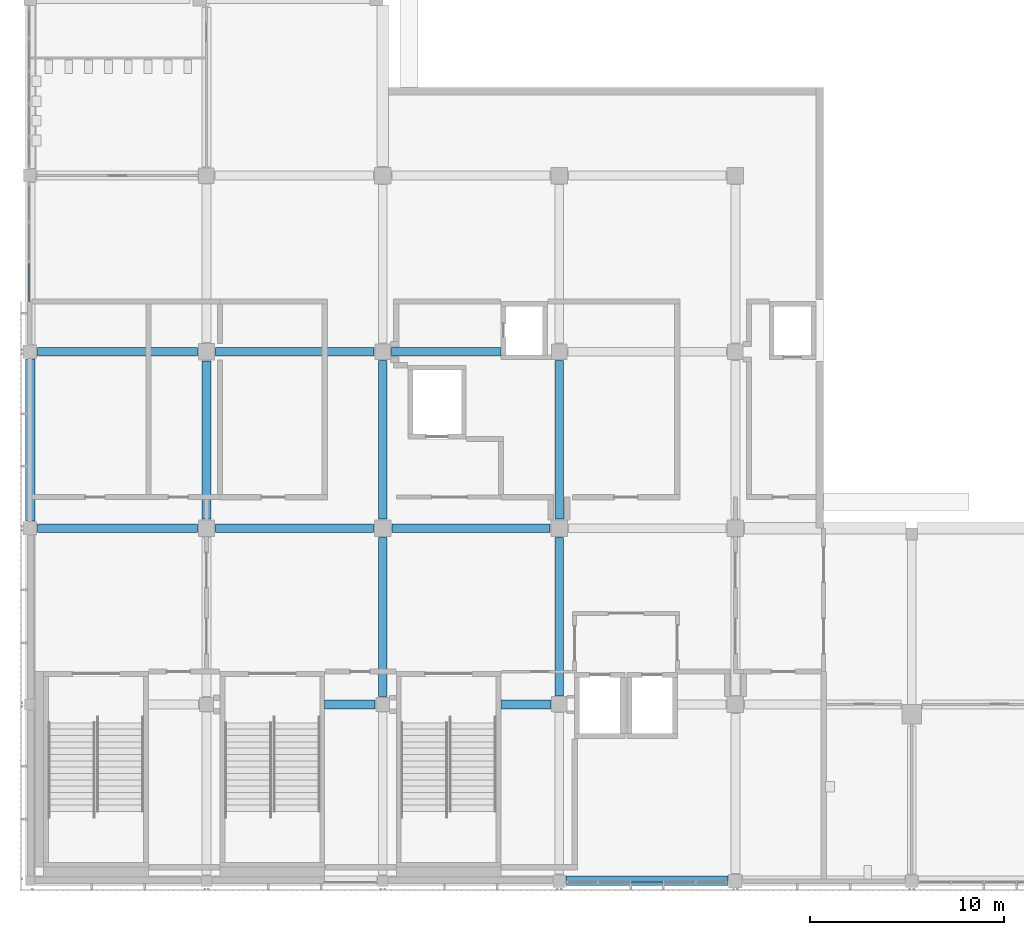
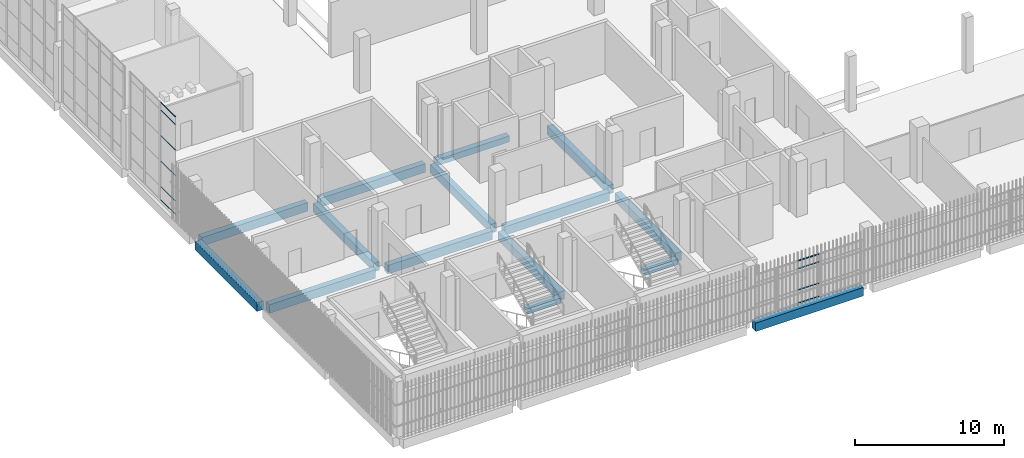
# One storey, part 5 of 126: 15 beams, 10 members, 2 elements without a shape of their own.
"""IFC4 building model written with IfcOpenShell, lengths in metres."""

from ifc_helpers import new_model, si_unit, direction, frame, origin, origin_2d, place, context, subcontext, project, spatial, rectangle, hollow_rectangle, extrude, material, layer, layer_set, material_profile, profile_set, type_object, element, aggregate, save


model = new_model("IFC4")

# Units and contexts
model_context = context("Model", 3, precision=1e-05, world=origin(), true_north=direction((0.0, 1.0)))
body_context = subcontext(model_context, "Body", "Model", "MODEL_VIEW")
ifc_project = project(units=[si_unit("LENGTHUNIT", "METRE"), si_unit("AREAUNIT", "SQUARE_METRE"), si_unit("VOLUMEUNIT", "CUBIC_METRE"), si_unit("PLANEANGLEUNIT", "RADIAN"), si_unit("MASSUNIT", "GRAM", prefix="KILO")], contexts=[model_context])

# Site, building, storey
site_placement = place(None, origin())
site = spatial("IfcSite", under=ifc_project, at=site_placement, CompositionType="ELEMENT")
building_placement = place(site_placement, origin())
building = spatial("IfcBuilding", under=site, at=building_placement, Name="Shirokan Park Arena", CompositionType="ELEMENT")
storey_placement = place(building_placement, frame((0.0, 0.0, 6.3701171875)))
storey = spatial("IfcBuildingStorey", under=building, at=storey_placement, Name="L01", CompositionType="ELEMENT", Elevation=6.3701171875)

# Beams
ifc_material_1 = material(Name="Concrete C35", Category="concrete")
ifc_material_profile_1 = material_profile(ifc_material_1, rectangle(XDim=0.449951171875, YDim=0.5, at=origin_2d()), Name="450x500")
ifc_profile_set_1 = profile_set([ifc_material_profile_1], Name="Concrete C35")
beam_type_1 = type_object("IfcBeamType", Name="RC girder 450x500", PredefinedType="BEAM", material=ifc_profile_set_1)
beam_1_placement = place(storey_placement, frame((18.650146484375, 27.300048828125, -0.60009765625), z_axis=(1.0, 0.0, 0.0), x_axis=(0.0, 1.0, 0.0)))
element("IfcBeam", 1, at=beam_1_placement, inside=storey, type_object=beam_type_1, Name="Girder 3D-4D L01", PredefinedType="BEAM", context=body_context, shape_type="SweptSolid", body=[
    extrude(rectangle(XDim=0.449951171875, YDim=0.5, at=origin_2d()), origin(), (0.0, 0.0, 1.0), 5.64990234375),
])
ifc_material_profile_2 = material_profile(ifc_material_1, rectangle(XDim=0.449951171875, YDim=0.699951171875, at=origin_2d()), Name="450x700")
ifc_profile_set_2 = profile_set([ifc_material_profile_2], Name="Concrete C35")
beam_type_2 = type_object("IfcBeamType", Name="RC girder 450x700", PredefinedType="BEAM", material=ifc_profile_set_2)
for number, where, z_axis, x_axis, name in (
    (2, (0.375, 18.199951171875, -0.7001953125), (1.0, 0.0, 0.0), (0.0, 1.0, 0.0), "Girder 1C-2C L01"),
    (3, (0.375, 27.300048828125, -0.7001953125), (1.0, 0.0, 0.0), (0.0, 1.0, 0.0), "Girder 1D-2D L01"),
):
    element("IfcBeam", number, at=place(storey_placement, frame(where, z_axis=z_axis, x_axis=x_axis)), inside=storey, type_object=beam_type_2, Name=name, PredefinedType="BEAM", context=body_context, shape_type="SweptSolid", body=[
        extrude(rectangle(XDim=0.449951171875, YDim=0.699951171875, at=origin_2d()), origin(), (0.0, 0.0, 1.0), 8.25),
    ])
beam_2_placement = place(storey_placement, frame((9.5751953125, 18.199951171875, -0.7001953125), z_axis=(1.0, 0.0, 0.0), x_axis=(0.0, 1.0, 0.0)))
element("IfcBeam", 4, at=beam_2_placement, inside=storey, type_object=beam_type_2, Name="Girder 2C-3C L01", PredefinedType="BEAM", context=body_context, shape_type="SweptSolid", body=[
    extrude(rectangle(XDim=0.449951171875, YDim=0.699951171875, at=origin_2d()), origin(), (0.0, 0.0, 1.0), 8.149658203125),
])
beam_3_placement = place(storey_placement, frame((9.5751953125, 27.300048828125, -0.7001953125), z_axis=(1.0, 0.0, 0.0), x_axis=(0.0, 1.0, 0.0)))
element("IfcBeam", 5, at=beam_3_placement, inside=storey, type_object=beam_type_2, Name="Girder 2D-3D L01", PredefinedType="BEAM", context=body_context, shape_type="SweptSolid", body=[
    extrude(rectangle(XDim=0.449951171875, YDim=0.699951171875, at=origin_2d()), origin(), (0.0, 0.0, 1.0), 8.1748046875),
])
for number, where, z_axis, x_axis, name in (
    (6, (18.675048828125, 18.199951171875, -0.7001953125), (1.0, 0.0, 0.0), (0.0, 1.0, 0.0), "Girder 3C-4C L01"),
    (7, (9.10009765625, 18.675048828125, -0.7001953125), (0.0, 1.0, 0.0), (-1.0, 0.0, 0.0), "Girder 2C-2D L01"),
):
    element("IfcBeam", number, at=place(storey_placement, frame(where, z_axis=z_axis, x_axis=x_axis)), inside=storey, type_object=beam_type_2, Name=name, PredefinedType="BEAM", context=body_context, shape_type="SweptSolid", body=[
        extrude(rectangle(XDim=0.449951171875, YDim=0.699951171875, at=origin_2d()), origin(), (0.0, 0.0, 1.0), 8.14990234375),
    ])
beam_4_placement = place(storey_placement, frame((18.199951171875, 9.5, -0.7001953125), z_axis=(0.0, 1.0, 0.0), x_axis=(-1.0, 0.0, 0.0)))
element("IfcBeam", 8, at=beam_4_placement, inside=storey, type_object=beam_type_2, Name="Girder 3B-3C L01", PredefinedType="BEAM", context=body_context, shape_type="SweptSolid", body=[
    extrude(rectangle(XDim=0.449951171875, YDim=0.699951171875, at=origin_2d()), origin(), (0.0, 0.0, 1.0), 8.224853515625),
])
beam_5_placement = place(storey_placement, frame((18.199951171875, 18.675048828125, -0.7001953125), z_axis=(0.0, 1.0, 0.0), x_axis=(-1.0, 0.0, 0.0)))
element("IfcBeam", 9, at=beam_5_placement, inside=storey, type_object=beam_type_2, Name="Girder 3C-3D L01", PredefinedType="BEAM", context=body_context, shape_type="SweptSolid", body=[
    extrude(rectangle(XDim=0.449951171875, YDim=0.699951171875, at=origin_2d()), origin(), (0.0, 0.0, 1.0), 8.1748046875),
])
beam_6_placement = place(storey_placement, frame((27.300048828125, 9.525146484375, -0.7001953125), z_axis=(0.0, 1.0, 0.0), x_axis=(-1.0, 0.0, 0.0)))
element("IfcBeam", 10, at=beam_6_placement, inside=storey, type_object=beam_type_2, Name="Girder 4B-4C L01", PredefinedType="BEAM", context=body_context, shape_type="SweptSolid", body=[
    extrude(rectangle(XDim=0.449951171875, YDim=0.699951171875, at=origin_2d()), origin(), (0.0, 0.0, 1.0), 8.19970703125),
])
beam_7_placement = place(storey_placement, frame((27.300048828125, 18.675048828125, -0.7001953125), z_axis=(0.0, 1.0, 0.0), x_axis=(-1.0, 0.0, 0.0)))
element("IfcBeam", 11, at=beam_7_placement, inside=storey, type_object=beam_type_2, Name="Girder 4C-4D L01", PredefinedType="BEAM", context=body_context, shape_type="SweptSolid", body=[
    extrude(rectangle(XDim=0.449951171875, YDim=0.699951171875, at=origin_2d()), origin(), (0.0, 0.0, 1.0), 8.1748046875),
])
ifc_material_profile_3 = material_profile(ifc_material_1, rectangle(XDim=0.5, YDim=0.699951171875, at=origin_2d()), Name="500x700")
ifc_profile_set_3 = profile_set([ifc_material_profile_3], Name="Concrete C35")
beam_type_3 = type_object("IfcBeamType", Name="RC girder 500x700", PredefinedType="BEAM", material=ifc_profile_set_3)
beam_8_placement = place(storey_placement, frame((27.650146484375, 0.0, -0.7001953125), z_axis=(1.0, 0.0, 0.0), x_axis=(0.0, 1.0, 0.0)))
element("IfcBeam", 12, at=beam_8_placement, inside=storey, type_object=beam_type_3, Name="Girder 4A-5A L01", PredefinedType="BEAM", context=body_context, shape_type="SweptSolid", body=[
    extrude(rectangle(XDim=0.5, YDim=0.699951171875, at=origin_2d()), origin(), (0.0, 0.0, 1.0), 8.374755859375),
])
beam_9_placement = place(storey_placement, frame((0.0, 18.5751953125, -0.7001953125), z_axis=(0.0, 1.0, 0.0), x_axis=(-1.0, 0.0, 0.0)))
element("IfcBeam", 13, at=beam_9_placement, inside=storey, type_object=beam_type_3, Name="Girder 1C-1D L01", PredefinedType="BEAM", context=body_context, shape_type="SweptSolid", body=[
    extrude(rectangle(XDim=0.5, YDim=0.699951171875, at=origin_2d()), origin(), (0.0, 0.0, 1.0), 8.349609375),
])
ifc_material_profile_4 = material_profile(ifc_material_1, rectangle(XDim=0.449951171875, YDim=0.449951171875, at=origin_2d()), Name="450x450")
ifc_profile_set_4 = profile_set([ifc_material_profile_4], Name="Concrete C35")
beam_type_4 = type_object("IfcBeamType", Name="RC trimmer 450x450", PredefinedType="BEAM", material=ifc_profile_set_4)
beam_10_placement = place(storey_placement, frame((15.199951171875, 9.10009765625, -0.5751953125), z_axis=(1.0, 0.0, 0.0), x_axis=(0.0, 1.0, 0.0)))
element("IfcBeam", 14, at=beam_10_placement, inside=storey, type_object=beam_type_4, Name="Girder 2B-3B L01", PredefinedType="BEAM", context=body_context, shape_type="SweptSolid", body=[
    extrude(rectangle(XDim=0.449951171875, YDim=0.449951171875, at=origin_2d()), origin(), (0.0, 0.0, 1.0), 2.599853515625),
])
beam_11_placement = place(storey_placement, frame((24.300048828125, 9.10009765625, -0.5751953125), z_axis=(1.0, 0.0, 0.0), x_axis=(0.0, 1.0, 0.0)))
element("IfcBeam", 15, at=beam_11_placement, inside=storey, type_object=beam_type_4, Name="Girder 3B-4B L01", PredefinedType="BEAM", context=body_context, shape_type="SweptSolid", body=[
    extrude(rectangle(XDim=0.449951171875, YDim=0.449951171875, at=origin_2d()), origin(), (0.0, 0.0, 1.0), 2.574951171875),
])

# Curtain wall, members
ifc_material_2 = material(Name="Steel and glass curtain wall", Category="steel")
ifc_layer_1 = layer(ifc_material_2, 0.14990234375)
ifc_layer_set_1 = layer_set([ifc_layer_1], Name="Steel and glass curtain wall 150 mm")
curtain_wall_type_1 = type_object("IfcCurtainWallType", Name="Curtain wall exposed bay 150", PredefinedType="NOTDEFINED", material=ifc_layer_set_1)
curtain_wall_1_placement = place(storey_placement, origin())
curtain_wall_1 = element("IfcCurtainWall", 16, at=curtain_wall_1_placement, inside=storey, type_object=curtain_wall_type_1, Name="Curtain wall south bay 4 L01", PredefinedType="NOTDEFINED")
ifc_material_3 = material(Name="Steel S355", Category="steel")
ifc_material_profile_5 = material_profile(ifc_material_3, hollow_rectangle(XDim=0.06005859375, YDim=0.0400390625, WallThickness=0.00390625, at=origin_2d()), Name="RHS 60x40x4")
ifc_profile_set_5 = profile_set([ifc_material_profile_5], Name="Steel S355")
member_type = type_object("IfcMemberType", Name="Transom RHS 60x40x4", PredefinedType="MULLION", material=ifc_profile_set_5)
member_1_placement = place(storey_placement, frame((31.02001953125, -0.074951171875, 0.019775390625), z_axis=(1.0, 0.0, 0.0), x_axis=(0.0, 1.0, 0.0)))
member_1 = element("IfcMember", 17, at=member_1_placement, type_object=member_type, Name="CW1 transom 3.1", PredefinedType="MULLION", context=body_context, shape_type="SweptSolid", body=[
    extrude(hollow_rectangle(XDim=0.06005859375, YDim=0.0400390625, WallThickness=0.00390625, at=origin_2d()), origin(), (0.0, 0.0, 1.0), 1.635009765625),
])
member_2_placement = place(storey_placement, frame((31.02001953125, -0.074951171875, 1.099853515625), z_axis=(1.0, 0.0, 0.0), x_axis=(0.0, 1.0, 0.0)))
member_2 = element("IfcMember", 18, at=member_2_placement, type_object=member_type, Name="CW1 transom 3.2", PredefinedType="MULLION", context=body_context, shape_type="SweptSolid", body=[
    extrude(hollow_rectangle(XDim=0.06005859375, YDim=0.0400390625, WallThickness=0.00390625, at=origin_2d()), origin(), (0.0, 0.0, 1.0), 1.635009765625),
])
member_3_placement = place(storey_placement, frame((31.02001953125, -0.074951171875, 2.849853515625), z_axis=(1.0, 0.0, 0.0), x_axis=(0.0, 1.0, 0.0)))
member_3 = element("IfcMember", 19, at=member_3_placement, type_object=member_type, Name="CW1 transom 3.3", PredefinedType="MULLION", context=body_context, shape_type="SweptSolid", body=[
    extrude(hollow_rectangle(XDim=0.06005859375, YDim=0.0400390625, WallThickness=0.00390625, at=origin_2d()), origin(), (0.0, 0.0, 1.0), 1.635009765625),
])
member_4_placement = place(storey_placement, frame((31.02001953125, -0.074951171875, 3.47998046875), z_axis=(1.0, 0.0, 0.0), x_axis=(0.0, 1.0, 0.0)))
member_4 = element("IfcMember", 20, at=member_4_placement, type_object=member_type, Name="CW1 transom 3.4", PredefinedType="MULLION", context=body_context, shape_type="SweptSolid", body=[
    extrude(hollow_rectangle(XDim=0.06005859375, YDim=0.0400390625, WallThickness=0.00390625, at=origin_2d()), origin(), (0.0, 0.0, 1.0), 1.635009765625),
])
aggregate(curtain_wall_1, [member_1, member_2, member_3, member_4])

ifc_layer_2 = layer(ifc_material_2, 0.199951171875)
ifc_layer_set_2 = layer_set([ifc_layer_2], Name="Steel and glass curtain wall 200 mm")
curtain_wall_type_2 = type_object("IfcCurtainWallType", Name="Curtain wall hall bay 200", PredefinedType="NOTDEFINED", material=ifc_layer_set_2)
curtain_wall_2_placement = place(storey_placement, origin())
curtain_wall_2 = element("IfcCurtainWall", 21, at=curtain_wall_2_placement, inside=storey, type_object=curtain_wall_type_2, Name="Curtain wall west bay 9 L01", PredefinedType="NOTDEFINED")
member_5_placement = place(storey_placement, frame((-0.050048828125, 31.8583984375, 0.019775390625), z_axis=(0.0, -1.0, 0.0), x_axis=(1.0, 0.0, 0.0)))
member_5 = element("IfcMember", 22, at=member_5_placement, type_object=member_type, Name="CW5 transom 3.1", PredefinedType="MULLION", context=body_context, shape_type="SweptSolid", body=[
    extrude(hollow_rectangle(XDim=0.06005859375, YDim=0.0400390625, WallThickness=0.00390625, at=origin_2d()), origin(), (0.0, 0.0, 1.0), 1.95849609375),
])
member_6_placement = place(storey_placement, frame((-0.050048828125, 31.8583984375, 1.099853515625), z_axis=(0.0, -1.0, 0.0), x_axis=(1.0, 0.0, 0.0)))
member_6 = element("IfcMember", 23, at=member_6_placement, type_object=member_type, Name="CW5 transom 3.2", PredefinedType="MULLION", context=body_context, shape_type="SweptSolid", body=[
    extrude(hollow_rectangle(XDim=0.06005859375, YDim=0.0400390625, WallThickness=0.00390625, at=origin_2d()), origin(), (0.0, 0.0, 1.0), 1.95849609375),
])
member_7_placement = place(storey_placement, frame((-0.050048828125, 31.8583984375, 3.199951171875), z_axis=(0.0, -1.0, 0.0), x_axis=(1.0, 0.0, 0.0)))
member_7 = element("IfcMember", 24, at=member_7_placement, type_object=member_type, Name="CW5 transom 3.3", PredefinedType="MULLION", context=body_context, shape_type="SweptSolid", body=[
    extrude(hollow_rectangle(XDim=0.06005859375, YDim=0.0400390625, WallThickness=0.00390625, at=origin_2d()), origin(), (0.0, 0.0, 1.0), 1.95849609375),
])
member_8_placement = place(storey_placement, frame((-0.050048828125, 31.8583984375, 5.2998046875), z_axis=(0.0, -1.0, 0.0), x_axis=(1.0, 0.0, 0.0)))
member_8 = element("IfcMember", 25, at=member_8_placement, type_object=member_type, Name="CW5 transom 3.4", PredefinedType="MULLION", context=body_context, shape_type="SweptSolid", body=[
    extrude(hollow_rectangle(XDim=0.06005859375, YDim=0.0400390625, WallThickness=0.00390625, at=origin_2d()), origin(), (0.0, 0.0, 1.0), 1.95849609375),
])
member_9_placement = place(storey_placement, frame((-0.050048828125, 31.8583984375, 7.39990234375), z_axis=(0.0, -1.0, 0.0), x_axis=(1.0, 0.0, 0.0)))
member_9 = element("IfcMember", 26, at=member_9_placement, type_object=member_type, Name="CW5 transom 3.5", PredefinedType="MULLION", context=body_context, shape_type="SweptSolid", body=[
    extrude(hollow_rectangle(XDim=0.06005859375, YDim=0.0400390625, WallThickness=0.00390625, at=origin_2d()), origin(), (0.0, 0.0, 1.0), 1.95849609375),
])
member_10_placement = place(storey_placement, frame((-0.050048828125, 31.8583984375, 8.02978515625), z_axis=(0.0, -1.0, 0.0), x_axis=(1.0, 0.0, 0.0)))
member_10 = element("IfcMember", 27, at=member_10_placement, type_object=member_type, Name="CW5 transom 3.6", PredefinedType="MULLION", context=body_context, shape_type="SweptSolid", body=[
    extrude(hollow_rectangle(XDim=0.06005859375, YDim=0.0400390625, WallThickness=0.00390625, at=origin_2d()), origin(), (0.0, 0.0, 1.0), 1.95849609375),
])
aggregate(curtain_wall_2, [member_5, member_6, member_7, member_8, member_9, member_10])

save(model, "model.ifc")
